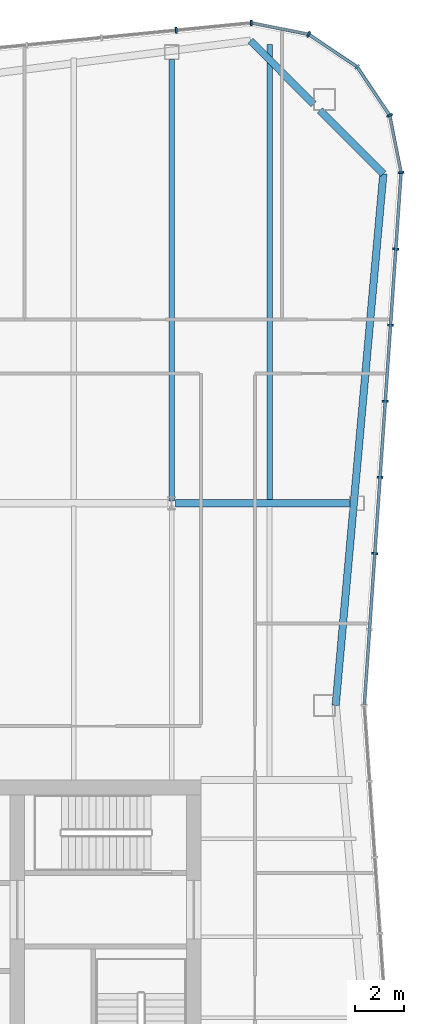
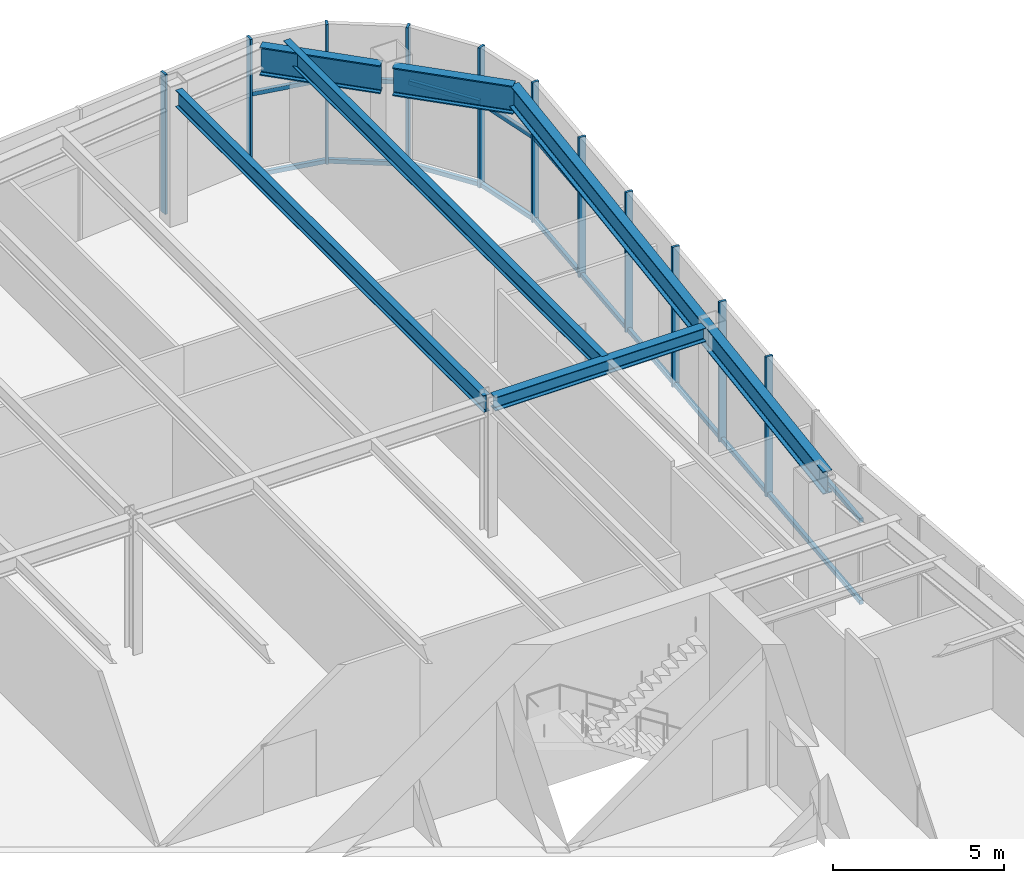
# One storey, part 7 of 13: 21 members, 6 beams, 3 elements without a shape of their own.
"""IFC4 building model written with IfcOpenShell, lengths in metres."""

from ifc_helpers import new_model, si_unit, direction, frame, origin, origin_2d, place, context, subcontext, project, spatial, rectangle, i_section, extrude, material, material_profile, profile_set, type_object, element, aggregate, save


model = new_model("IFC4")

# Units and contexts
model_context = context("Model", 3, precision=1e-05, world=origin(), true_north=direction((0.0, 1.0)))
body_context = subcontext(model_context, "Body", "Model", "MODEL_VIEW")
ifc_project = project(units=[si_unit("LENGTHUNIT", "METRE"), si_unit("AREAUNIT", "SQUARE_METRE"), si_unit("VOLUMEUNIT", "CUBIC_METRE"), si_unit("PLANEANGLEUNIT", "RADIAN"), si_unit("MASSUNIT", "GRAM", prefix="KILO")], contexts=[model_context])

# Site, building, storey
site_placement = place(None, origin())
site = spatial("IfcSite", under=ifc_project, at=site_placement, CompositionType="ELEMENT")
building_placement = place(site_placement, origin())
building = spatial("IfcBuilding", under=site, at=building_placement, Name="Verdant Reach Tower", CompositionType="ELEMENT")
storey_placement = place(building_placement, frame((0.0, 0.0, 354.5)))
storey = spatial("IfcBuildingStorey", under=building, at=storey_placement, Name="L80 Plant", CompositionType="ELEMENT", Elevation=354.5)

# Curtain wall, members
ifc_material_1 = material(Name="Anodised aluminium", Category="aluminium")
curtain_wall_type = type_object("IfcCurtainWallType", Name="EN-CW SYSTEM PLANT", PredefinedType="NOTDEFINED", material=ifc_material_1)
curtain_wall_1_placement = place(storey_placement, origin())
curtain_wall_1 = element("IfcCurtainWall", 1, at=curtain_wall_1_placement, inside=storey, type_object=curtain_wall_type, Name="Curtain wall east, L80", PredefinedType="NOTDEFINED")
ifc_material_profile_1 = material_profile(ifc_material_1, rectangle(XDim=0.238037109375, YDim=0.080078125, at=origin_2d()), Name="Mullion 80x240")
ifc_profile_set_1 = profile_set([ifc_material_profile_1], Name="Anodised aluminium")
member_type_1 = type_object("IfcMemberType", Name="EN-MULLION PLANT", PredefinedType="MULLION", material=ifc_profile_set_1)
member_1_placement = place(storey_placement, frame((20.29736328125, 47.4560546875, -0.35009765625), z_axis=(0.0, 0.0, 1.0), x_axis=(0.997630328423, -0.068802091615, 0.0)))
member_1 = element("IfcMember", 2, at=member_1_placement, type_object=member_type_1, Name="Mullion east face part 2 3, L80", PredefinedType="MULLION", context=body_context, shape_type="SweptSolid", body=[
    extrude(rectangle(XDim=0.238037109375, YDim=0.080078125, at=origin_2d()), origin(), (0.0, 0.0, 1.0), 5.0),
])
member_2_placement = place(storey_placement, frame((20.511474609375, 50.563232421875, -0.35009765625), z_axis=(0.0, 0.0, 1.0), x_axis=(0.997630328423, -0.068802091615, 0.0)))
member_2 = element("IfcMember", 3, at=member_2_placement, type_object=member_type_1, Name="Mullion east face part 2 4, L80", PredefinedType="MULLION", context=body_context, shape_type="SweptSolid", body=[
    extrude(rectangle(XDim=0.238037109375, YDim=0.080078125, at=origin_2d()), origin(), (0.0, 0.0, 1.0), 5.0),
])
member_3_placement = place(storey_placement, frame((20.725830078125, 53.67041015625, -0.35009765625), z_axis=(0.0, 0.0, 1.0), x_axis=(0.997630328423, -0.068802091615, 0.0)))
member_3 = element("IfcMember", 4, at=member_3_placement, type_object=member_type_1, Name="Mullion east face part 2 5, L80", PredefinedType="MULLION", context=body_context, shape_type="SweptSolid", body=[
    extrude(rectangle(XDim=0.238037109375, YDim=0.080078125, at=origin_2d()), origin(), (0.0, 0.0, 1.0), 5.0),
])
member_4_placement = place(storey_placement, frame((20.940185546875, 56.777587890625, -0.35009765625), z_axis=(0.0, 0.0, 1.0), x_axis=(0.997630328423, -0.068802091615, 0.0)))
member_4 = element("IfcMember", 5, at=member_4_placement, type_object=member_type_1, Name="Mullion east face part 2 6, L80", PredefinedType="MULLION", context=body_context, shape_type="SweptSolid", body=[
    extrude(rectangle(XDim=0.238037109375, YDim=0.080078125, at=origin_2d()), origin(), (0.0, 0.0, 1.0), 5.0),
])
member_5_placement = place(storey_placement, frame((21.154541015625, 59.884765625, -0.35009765625), z_axis=(0.0, 0.0, 1.0), x_axis=(0.997630328423, -0.068802091615, 0.0)))
member_5 = element("IfcMember", 6, at=member_5_placement, type_object=member_type_1, Name="Mullion east face part 2 7, L80", PredefinedType="MULLION", context=body_context, shape_type="SweptSolid", body=[
    extrude(rectangle(XDim=0.238037109375, YDim=0.080078125, at=origin_2d()), origin(), (0.0, 0.0, 1.0), 5.0),
])

curtain_wall_2_placement = place(storey_placement, origin())
curtain_wall_2 = element("IfcCurtainWall", 7, at=curtain_wall_2_placement, inside=storey, type_object=curtain_wall_type, Name="Curtain wall north-east corner, L80", PredefinedType="NOTDEFINED")
member_6_placement = place(storey_placement, frame((21.36865234375, 63.007568359375, -0.35009765625), z_axis=(0.0, 0.0, 1.0), x_axis=(0.997969180898, 0.063698618332, 0.0)))
member_6 = element("IfcMember", 8, at=member_6_placement, type_object=member_type_1, Name="Mullion north-east corner 1, L80", PredefinedType="MULLION", context=body_context, shape_type="SweptSolid", body=[
    extrude(rectangle(XDim=0.238037109375, YDim=0.080078125, at=origin_2d()), origin(), (0.0, 0.0, 1.0), 5.0),
])
member_7_placement = place(storey_placement, frame((20.9033203125, 65.341552734375, -0.35009765625), z_axis=(0.0, 0.0, 1.0), x_axis=(0.923875215753, 0.382693853776, 0.0)))
member_7 = element("IfcMember", 9, at=member_7_placement, type_object=member_type_1, Name="Mullion north-east corner 2, L80", PredefinedType="MULLION", context=body_context, shape_type="SweptSolid", body=[
    extrude(rectangle(XDim=0.238037109375, YDim=0.080078125, at=origin_2d()), origin(), (0.0, 0.0, 1.0), 5.0),
])
member_8_placement = place(storey_placement, frame((19.57666015625, 67.32666015625, -0.35009765625), z_axis=(0.0, 0.0, 1.0), x_axis=(0.707106781187, 0.707106781187, 0.0)))
member_8 = element("IfcMember", 10, at=member_8_placement, type_object=member_type_1, Name="Mullion north-east corner 3, L80", PredefinedType="MULLION", context=body_context, shape_type="SweptSolid", body=[
    extrude(rectangle(XDim=0.238037109375, YDim=0.080078125, at=origin_2d()), origin(), (0.0, 0.0, 1.0), 5.0),
])
member_9_placement = place(storey_placement, frame((17.591552734375, 68.6533203125, -0.35009765625), z_axis=(0.0, 0.0, 1.0), x_axis=(0.382693853776, 0.923875215753, 0.0)))
member_9 = element("IfcMember", 11, at=member_9_placement, type_object=member_type_1, Name="Mullion north-east corner 4, L80", PredefinedType="MULLION", context=body_context, shape_type="SweptSolid", body=[
    extrude(rectangle(XDim=0.238037109375, YDim=0.080078125, at=origin_2d()), origin(), (0.0, 0.0, 1.0), 5.0),
])

curtain_wall_3_placement = place(storey_placement, origin())
curtain_wall_3 = element("IfcCurtainWall", 12, at=curtain_wall_3_placement, inside=storey, type_object=curtain_wall_type, Name="Curtain wall north, L80", PredefinedType="NOTDEFINED")
member_10_placement = place(storey_placement, frame((15.255859375, 69.118896484375, -0.35009765625), z_axis=(0.0, 0.0, 1.0), x_axis=(0.049127596288, 0.998792510626, 0.0)))
member_10 = element("IfcMember", 13, at=member_10_placement, type_object=member_type_1, Name="Mullion north face part 1 1, L80", PredefinedType="MULLION", context=body_context, shape_type="SweptSolid", body=[
    extrude(rectangle(XDim=0.238037109375, YDim=0.080078125, at=origin_2d()), origin(), (0.0, 0.0, 1.0), 5.0),
])
member_11_placement = place(storey_placement, frame((12.188232421875, 68.818359375, -0.35009765625), z_axis=(0.0, 0.0, 1.0), x_axis=(-0.09788826992, 0.995197410875, 0.0)))
member_11 = element("IfcMember", 14, at=member_11_placement, type_object=member_type_1, Name="Mullion north face part 1 2, L80", PredefinedType="MULLION", context=body_context, shape_type="SweptSolid", body=[
    extrude(rectangle(XDim=0.238037109375, YDim=0.080078125, at=origin_2d()), origin(), (0.0, 0.0, 1.0), 5.0),
])
aggregate(curtain_wall_3, [member_10, member_11])

# Member
ifc_material_profile_2 = material_profile(ifc_material_1, rectangle(XDim=0.1201171875, YDim=0.14990234375, at=origin_2d()), Name="Transom 150x120")
ifc_profile_set_2 = profile_set([ifc_material_profile_2], Name="Anodised aluminium")
member_type_2 = type_object("IfcMemberType", Name="EN-TRANSOM PLANT", PredefinedType="USERDEFINED", material=ifc_profile_set_2)
member_12_placement = place(storey_placement, frame((19.871826171875, 41.289794921875, -0.27490234375), z_axis=(0.068761218296, 0.997633146431, 0.0), x_axis=(-0.997633146431, 0.068761218296, 0.0)))
member_12 = element("IfcMember", 15, at=member_12_placement, type_object=member_type_2, Name="Transom east face part 2 1.1, L80", ObjectType="TRANSOM", PredefinedType="USERDEFINED", context=body_context, shape_type="SweptSolid", body=[
    extrude(rectangle(XDim=0.1201171875, YDim=0.14990234375, at=origin_2d()), origin(), (0.0, 0.0, 1.0), 21.7294921875),
])

member_13_placement = place(storey_placement, frame((19.871826171875, 41.289794921875, 2.64990234375), z_axis=(0.068761218296, 0.997633146431, 0.0), x_axis=(-0.997633146431, 0.068761218296, 0.0)))
member_13 = element("IfcMember", 16, at=member_13_placement, type_object=member_type_2, Name="Transom east face part 2 1.2, L80", ObjectType="TRANSOM", PredefinedType="USERDEFINED", context=body_context, shape_type="SweptSolid", body=[
    extrude(rectangle(XDim=0.1201171875, YDim=0.14990234375, at=origin_2d()), origin(), (0.0, 0.0, 1.0), 21.7294921875),
])

aggregate(curtain_wall_1, [member_1, member_2, member_3, member_4, member_5, member_12, member_13])

member_14_placement = place(storey_placement, frame((21.36083984375, 63.046875, -0.27490234375), z_axis=(-0.195524121666, 0.980698892549, 0.0), x_axis=(-0.980698892549, -0.195524121666, 0.0)))
member_14 = element("IfcMember", 17, at=member_14_placement, type_object=member_type_2, Name="Transom north-east corner 1.1, L80", ObjectType="TRANSOM", PredefinedType="USERDEFINED", context=body_context, shape_type="SweptSolid", body=[
    extrude(rectangle(XDim=0.1201171875, YDim=0.14990234375, at=origin_2d()), origin(), (0.0, 0.0, 1.0), 2.300048828125),
])

member_15_placement = place(storey_placement, frame((20.881103515625, 65.375, -0.27490234375), z_axis=(-0.5556764556, 0.831398626828, 0.0), x_axis=(-0.831398626828, -0.5556764556, 0.0)))
member_15 = element("IfcMember", 18, at=member_15_placement, type_object=member_type_2, Name="Transom north-east corner 2.1, L80", ObjectType="TRANSOM", PredefinedType="USERDEFINED", context=body_context, shape_type="SweptSolid", body=[
    extrude(rectangle(XDim=0.1201171875, YDim=0.14990234375, at=origin_2d()), origin(), (0.0, 0.0, 1.0), 2.3076171875),
])

member_16_placement = place(storey_placement, frame((19.54345703125, 67.348876953125, -0.27490234375), z_axis=(-0.831398626828, 0.5556764556, 0.0), x_axis=(-0.5556764556, -0.831398626828, 0.0)))
member_16 = element("IfcMember", 19, at=member_16_placement, type_object=member_type_2, Name="Transom north-east corner 3.1, L80", ObjectType="TRANSOM", PredefinedType="USERDEFINED", context=body_context, shape_type="SweptSolid", body=[
    extrude(rectangle(XDim=0.1201171875, YDim=0.14990234375, at=origin_2d()), origin(), (0.0, 0.0, 1.0), 2.3076171875),
])

member_17_placement = place(storey_placement, frame((17.552490234375, 68.6611328125, -0.27490234375), z_axis=(-0.980706937788, 0.195483764476, 0.0), x_axis=(-0.195483764476, -0.980706937788, 0.0)))
member_17 = element("IfcMember", 20, at=member_17_placement, type_object=member_type_2, Name="Transom north-east corner 4.1, L80", ObjectType="TRANSOM", PredefinedType="USERDEFINED", context=body_context, shape_type="SweptSolid", body=[
    extrude(rectangle(XDim=0.1201171875, YDim=0.14990234375, at=origin_2d()), origin(), (0.0, 0.0, 1.0), 2.3017578125),
])

member_18_placement = place(storey_placement, frame((21.36083984375, 63.046875, 2.64990234375), z_axis=(-0.195524121666, 0.980698892549, 0.0), x_axis=(-0.980698892549, -0.195524121666, 0.0)))
member_18 = element("IfcMember", 21, at=member_18_placement, type_object=member_type_2, Name="Transom north-east corner 1.2, L80", ObjectType="TRANSOM", PredefinedType="USERDEFINED", context=body_context, shape_type="SweptSolid", body=[
    extrude(rectangle(XDim=0.1201171875, YDim=0.14990234375, at=origin_2d()), origin(), (0.0, 0.0, 1.0), 2.300048828125),
])

member_19_placement = place(storey_placement, frame((20.881103515625, 65.375, 2.64990234375), z_axis=(-0.5556764556, 0.831398626828, 0.0), x_axis=(-0.831398626828, -0.5556764556, 0.0)))
member_19 = element("IfcMember", 22, at=member_19_placement, type_object=member_type_2, Name="Transom north-east corner 2.2, L80", ObjectType="TRANSOM", PredefinedType="USERDEFINED", context=body_context, shape_type="SweptSolid", body=[
    extrude(rectangle(XDim=0.1201171875, YDim=0.14990234375, at=origin_2d()), origin(), (0.0, 0.0, 1.0), 2.3076171875),
])

member_20_placement = place(storey_placement, frame((19.54345703125, 67.348876953125, 2.64990234375), z_axis=(-0.831398626828, 0.5556764556, 0.0), x_axis=(-0.5556764556, -0.831398626828, 0.0)))
member_20 = element("IfcMember", 23, at=member_20_placement, type_object=member_type_2, Name="Transom north-east corner 3.2, L80", ObjectType="TRANSOM", PredefinedType="USERDEFINED", context=body_context, shape_type="SweptSolid", body=[
    extrude(rectangle(XDim=0.1201171875, YDim=0.14990234375, at=origin_2d()), origin(), (0.0, 0.0, 1.0), 2.3076171875),
])

member_21_placement = place(storey_placement, frame((17.552490234375, 68.6611328125, 2.64990234375), z_axis=(-0.980706937788, 0.195483764476, 0.0), x_axis=(-0.195483764476, -0.980706937788, 0.0)))
member_21 = element("IfcMember", 24, at=member_21_placement, type_object=member_type_2, Name="Transom north-east corner 4.2, L80", ObjectType="TRANSOM", PredefinedType="USERDEFINED", context=body_context, shape_type="SweptSolid", body=[
    extrude(rectangle(XDim=0.1201171875, YDim=0.14990234375, at=origin_2d()), origin(), (0.0, 0.0, 1.0), 2.3017578125),
])

aggregate(curtain_wall_2, [member_6, member_7, member_8, member_9, member_14, member_15, member_16, member_17, member_18, member_19, member_20, member_21])

# Beams
ifc_material_2 = material(Name="Steel S355", Category="steel")
ifc_material_profile_3 = material_profile(ifc_material_2, i_section(OverallWidth=0.300048828125, OverallDepth=0.489990234375, WebThickness=0.011962890625, FlangeThickness=0.02294921875, FilletRadius=0.027099609375, at=origin_2d()), Name="HEA 500")
ifc_profile_set_3 = profile_set([ifc_material_profile_3], Name="Steel S355")
beam_type_1 = type_object("IfcBeamType", Name="ST-BEAM-HEA500", PredefinedType="BEAM", material=ifc_profile_set_3)
beam_1_placement = place(storey_placement, frame((12.153076171875, 49.5, 4.60498046875), z_axis=(1.0, 0.0, 0.0), x_axis=(0.0, 1.0, 0.0)))
element("IfcBeam", 25, at=beam_1_placement, inside=storey, type_object=beam_type_1, Name="Row girder, L80 Plant", PredefinedType="BEAM", context=body_context, shape_type="SweptSolid", body=[
    extrude(i_section(OverallWidth=0.300048828125, OverallDepth=0.489990234375, WebThickness=0.011962890625, FlangeThickness=0.02294921875, FilletRadius=0.027099609375, at=origin_2d()), origin(), (0.0, 0.0, 1.0), 7.115966796875),
])
ifc_material_profile_4 = material_profile(ifc_material_2, i_section(OverallWidth=0.219970703125, OverallDepth=0.60009765625, WebThickness=0.011962890625, FlangeThickness=0.01904296875, FilletRadius=0.02392578125, at=origin_2d()), Name="IPE 600")
ifc_profile_set_4 = profile_set([ifc_material_profile_4], Name="Steel S355")
beam_type_2 = type_object("IfcBeamType", Name="ST-JOIST-IPE600", PredefinedType="JOIST", material=ifc_profile_set_4)
beam_2_placement = place(storey_placement, frame((12.0, 49.60009765625, 4.550048828125), z_axis=(0.0, 1.0, 0.0), x_axis=(-1.0, 0.0, 0.0)))
element("IfcBeam", 26, at=beam_2_placement, inside=storey, type_object=beam_type_2, Name="Floor joist, L80 Plant", PredefinedType="JOIST", context=body_context, shape_type="SweptSolid", body=[
    extrude(i_section(OverallWidth=0.219970703125, OverallDepth=0.60009765625, WebThickness=0.011962890625, FlangeThickness=0.01904296875, FilletRadius=0.02392578125, at=origin_2d()), origin(), (0.0, 0.0, 1.0), 18.0302734375),
])
beam_3_placement = place(storey_placement, frame((16.0, 49.60009765625, 4.550048828125), z_axis=(0.0, 1.0, 0.0), x_axis=(-1.0, 0.0, 0.0)))
element("IfcBeam", 27, at=beam_3_placement, inside=storey, type_object=beam_type_2, Name="Floor joist, L80 Plant", PredefinedType="JOIST", context=body_context, shape_type="SweptSolid", body=[
    extrude(i_section(OverallWidth=0.219970703125, OverallDepth=0.60009765625, WebThickness=0.011962890625, FlangeThickness=0.01904296875, FilletRadius=0.02392578125, at=origin_2d()), origin(), (0.0, 0.0, 1.0), 18.638916015625),
])
ifc_material_profile_5 = material_profile(ifc_material_2, i_section(OverallWidth=0.300048828125, OverallDepth=0.800048828125, WebThickness=0.017578125, FlangeThickness=0.032958984375, FilletRadius=0.030029296875, at=origin_2d()), Name="HEB 800")
ifc_profile_set_5 = profile_set([ifc_material_profile_5], Name="Steel S355")
beam_type_3 = type_object("IfcBeamType", Name="ST-SPANDREL-HEB800", PredefinedType="SPANDREL", material=ifc_profile_set_5)
beam_4_placement = place(storey_placement, frame((20.64599609375, 62.96142578125, 4.449951171875), z_axis=(-0.089274399498, -0.996007069048, 0.0), x_axis=(0.996007069048, -0.089274399498, 0.0)))
element("IfcBeam", 28, at=beam_4_placement, inside=storey, type_object=beam_type_3, Name="Edge beam, L80 Plant", PredefinedType="SPANDREL", context=body_context, shape_type="SweptSolid", body=[
    extrude(i_section(OverallWidth=0.300048828125, OverallDepth=0.800048828125, WebThickness=0.017578125, FlangeThickness=0.032958984375, FilletRadius=0.030029296875, at=origin_2d()), origin(), (0.0, 0.0, 1.0), 21.798583984375),
])
ifc_material_profile_6 = material_profile(ifc_material_2, i_section(OverallWidth=0.302001953125, OverallDepth=1.008056640625, WebThickness=0.02099609375, FlangeThickness=0.0400390625, FilletRadius=0.030029296875, at=origin_2d()), Name="HEM 1000")
ifc_profile_set_6 = profile_set([ifc_material_profile_6], Name="Steel S355")
beam_type_4 = type_object("IfcBeamType", Name="ST-SPANDREL-HEM1000", PredefinedType="SPANDREL", material=ifc_profile_set_6)
beam_5_placement = place(storey_placement, frame((15.22021484375, 68.394287109375, 4.345947265625), z_axis=(0.706638520854, -0.707574731632, 0.0), x_axis=(0.707574731632, 0.706638520854, 0.0)))
element("IfcBeam", 29, at=beam_5_placement, inside=storey, type_object=beam_type_4, Name="Edge beam, L80 Plant", PredefinedType="SPANDREL", context=body_context, shape_type="SweptSolid", body=[
    extrude(i_section(OverallWidth=0.302001953125, OverallDepth=1.008056640625, WebThickness=0.02099609375, FlangeThickness=0.0400390625, FilletRadius=0.030029296875, at=origin_2d()), origin(), (0.0, 0.0, 1.0), 3.65087890625),
])
beam_6_placement = place(storey_placement, frame((18.060791015625, 65.550048828125, 4.345947265625), z_axis=(0.706639493403, -0.707573760369, 0.0), x_axis=(0.707573760369, 0.706639493403, 0.0)))
element("IfcBeam", 30, at=beam_6_placement, inside=storey, type_object=beam_type_4, Name="Edge beam, L80 Plant", PredefinedType="SPANDREL", context=body_context, shape_type="SweptSolid", body=[
    extrude(i_section(OverallWidth=0.302001953125, OverallDepth=1.008056640625, WebThickness=0.02099609375, FlangeThickness=0.0400390625, FilletRadius=0.030029296875, at=origin_2d()), origin(), (0.0, 0.0, 1.0), 3.658447265625),
])

save(model, "model.ifc")
